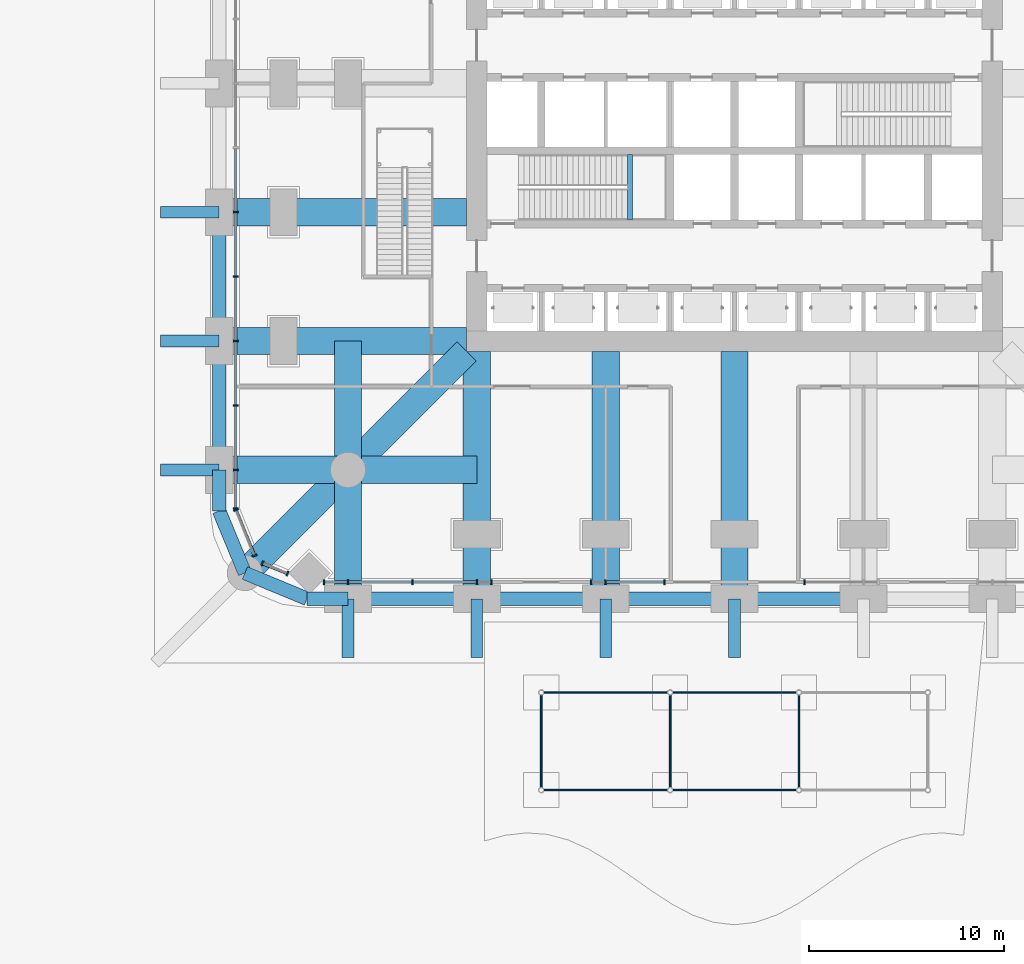
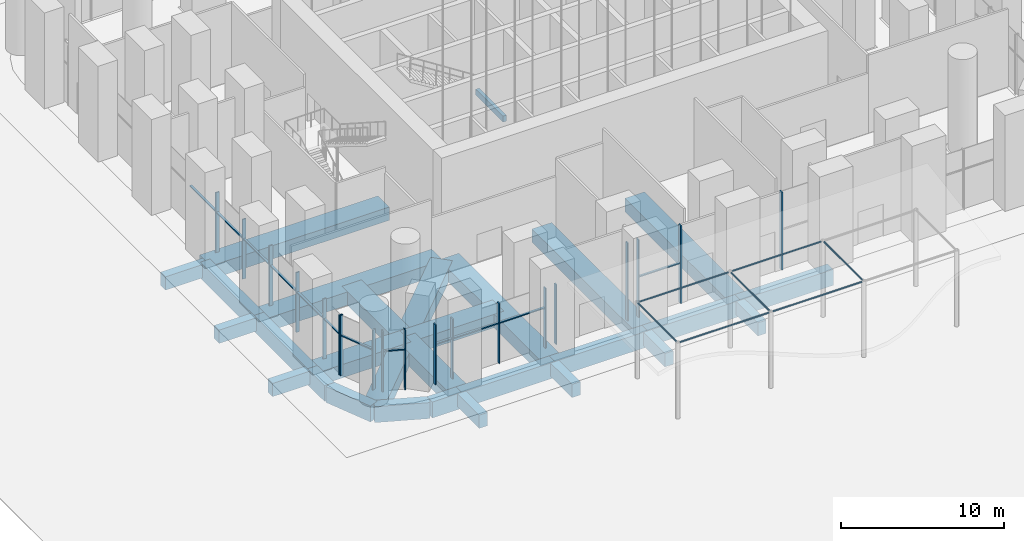
# One storey, part 8 of 32: 38 members, 29 beams, 6 elements without a shape of their own.
"""IFC4 building model written with IfcOpenShell, lengths in metres."""

from ifc_helpers import new_model, si_unit, direction, frame, origin, origin_2d, place, context, subcontext, project, spatial, rectangle, hollow_circle, extrude, material, material_profile, profile_set, type_object, element, aggregate, save


model = new_model("IFC4")

# Units and contexts
model_context = context("Model", 3, precision=1e-05, world=origin(), true_north=direction((0.0, 1.0)))
body_context = subcontext(model_context, "Body", "Model", "MODEL_VIEW")
ifc_project = project(units=[si_unit("LENGTHUNIT", "METRE"), si_unit("AREAUNIT", "SQUARE_METRE"), si_unit("VOLUMEUNIT", "CUBIC_METRE"), si_unit("PLANEANGLEUNIT", "RADIAN"), si_unit("MASSUNIT", "GRAM", prefix="KILO")], contexts=[model_context])

# Site, building, storey
site_placement = place(None, origin())
site = spatial("IfcSite", under=ifc_project, at=site_placement, CompositionType="ELEMENT")
building_placement = place(site_placement, origin())
building = spatial("IfcBuilding", under=site, at=building_placement, Name="Cobogo Forest Laboratory Tower", CompositionType="ELEMENT")
storey_placement = place(building_placement, origin())
storey = spatial("IfcBuildingStorey", under=building, at=storey_placement, Name="L00", CompositionType="ELEMENT", Elevation=0.0)

# Beam
ifc_material_1 = material(Name="Concrete HA-40 (C40/50)", Category="concrete")
ifc_material_profile_1 = material_profile(ifc_material_1, rectangle(XDim=0.25, YDim=0.449951171875, at=origin_2d()), Name="RC 250x450")
ifc_profile_set_1 = profile_set([ifc_material_profile_1], Name="Concrete HA-40 (C40/50)")
beam_type_1 = type_object("IfcBeamType", Name="LB1 landing beam 250x450", PredefinedType="BEAM", material=ifc_profile_set_1)
beam_1_placement = place(storey_placement, frame((21.050048828125, 19.39990234375, 3.175048828125), z_axis=(0.0, 1.0, 0.0), x_axis=(-1.0, 0.0, 0.0)))
element("IfcBeam", 1, at=beam_1_placement, inside=storey, type_object=beam_type_1, Name="Landing beam ST1 L00", PredefinedType="BEAM", context=body_context, shape_type="SweptSolid", body=[
    extrude(rectangle(XDim=0.25, YDim=0.449951171875, at=origin_2d()), origin(), (0.0, 0.0, 1.0), 3.35009765625),
])

# Curtain wall, members
ifc_material_2 = material(Name="Aluminium curtain wall", Category="aluminium")
curtain_wall_type = type_object("IfcCurtainWallType", Name="CW-L structural glazing, entrance lobby", PredefinedType="USERDEFINED", material=ifc_material_2)
curtain_wall_1_placement = place(storey_placement, origin())
curtain_wall_1 = element("IfcCurtainWall", 2, at=curtain_wall_1_placement, inside=storey, type_object=curtain_wall_type, Name="Curtain wall 01 L00", ObjectType="STRUCTURAL GLAZING", PredefinedType="USERDEFINED")
ifc_material_3 = material(Name="Aluminium mullion", Category="aluminium")
ifc_material_profile_2 = material_profile(ifc_material_3, rectangle(XDim=0.080078125, YDim=0.25, at=origin_2d()), Name="AL 80x250")
ifc_profile_set_2 = profile_set([ifc_material_profile_2], Name="Aluminium mullion")
member_type_1 = type_object("IfcMemberType", Name="MU-4 aluminium lobby mullion 80x250", PredefinedType="MULLION", material=ifc_profile_set_2)
member_1_placement = place(storey_placement, frame((3.50048828125, 1.28955078125, 0.0), z_axis=(0.0, 0.0, 1.0), x_axis=(-0.926819589551, 0.37550692194, 0.0)))
member_1 = element("IfcMember", 3, at=member_1_placement, type_object=member_type_1, Name="CW-L mullion 1", PredefinedType="MULLION", context=body_context, shape_type="SweptSolid", body=[
    extrude(rectangle(XDim=0.080078125, YDim=0.25, at=origin_2d()), origin(), (0.0, 0.0, 1.0), 4.5),
])
member_2_placement = place(storey_placement, frame((2.2138671875, 1.810791015625, 0.0), z_axis=(0.0, 0.0, 1.0), x_axis=(-0.926819589551, 0.37550692194, 0.0)))
member_2 = element("IfcMember", 4, at=member_2_placement, type_object=member_type_1, Name="CW-L mullion 2", PredefinedType="MULLION", context=body_context, shape_type="SweptSolid", body=[
    extrude(rectangle(XDim=0.080078125, YDim=0.25, at=origin_2d()), origin(), (0.0, 0.0, 1.0), 4.5),
])

curtain_wall_2_placement = place(storey_placement, origin())
curtain_wall_2 = element("IfcCurtainWall", 5, at=curtain_wall_2_placement, inside=storey, type_object=curtain_wall_type, Name="Curtain wall 02 L00", ObjectType="STRUCTURAL GLAZING", PredefinedType="USERDEFINED")
member_3_placement = place(storey_placement, frame((1.810791015625, 2.2138671875, 0.0), z_axis=(0.0, 0.0, 1.0), x_axis=(-0.375506890138, 0.926819602436, 0.0)))
member_3 = element("IfcMember", 6, at=member_3_placement, type_object=member_type_1, Name="CW-L mullion 1", PredefinedType="MULLION", context=body_context, shape_type="SweptSolid", body=[
    extrude(rectangle(XDim=0.080078125, YDim=0.25, at=origin_2d()), origin(), (0.0, 0.0, 1.0), 4.5),
])
member_4_placement = place(storey_placement, frame((0.864990234375, 4.548095703125, 0.0), z_axis=(0.0, 0.0, 1.0), x_axis=(-0.375506890138, 0.926819602436, 0.0)))
member_4 = element("IfcMember", 7, at=member_4_placement, type_object=member_type_1, Name="CW-L mullion 2", PredefinedType="MULLION", context=body_context, shape_type="SweptSolid", body=[
    extrude(rectangle(XDim=0.080078125, YDim=0.25, at=origin_2d()), origin(), (0.0, 0.0, 1.0), 4.5),
])

curtain_wall_3_placement = place(storey_placement, origin())
curtain_wall_3 = element("IfcCurtainWall", 8, at=curtain_wall_3_placement, inside=storey, type_object=curtain_wall_type, Name="Curtain wall 03 L00", ObjectType="STRUCTURAL GLAZING", PredefinedType="USERDEFINED")
member_5_placement = place(storey_placement, frame((0.85009765625, 4.625244140625, 0.0), z_axis=(0.0, 0.0, 1.0), x_axis=(0.0, 1.0, 0.0)))
member_5 = element("IfcMember", 9, at=member_5_placement, type_object=member_type_1, Name="CW-L mullion 1", PredefinedType="MULLION", context=body_context, shape_type="SweptSolid", body=[
    extrude(rectangle(XDim=0.080078125, YDim=0.25, at=origin_2d()), origin(), (0.0, 0.0, 1.0), 4.5),
])
member_6_placement = place(storey_placement, frame((0.85009765625, 6.60009765625, 0.0), z_axis=(0.0, 0.0, 1.0), x_axis=(0.0, 1.0, 0.0)))
member_6 = element("IfcMember", 10, at=member_6_placement, type_object=member_type_1, Name="CW-L mullion 2", PredefinedType="MULLION", context=body_context, shape_type="SweptSolid", body=[
    extrude(rectangle(XDim=0.080078125, YDim=0.25, at=origin_2d()), origin(), (0.0, 0.0, 1.0), 4.5),
])
member_7_placement = place(storey_placement, frame((0.85009765625, 9.89990234375, 0.0), z_axis=(0.0, 0.0, 1.0), x_axis=(0.0, 1.0, 0.0)))
member_7 = element("IfcMember", 11, at=member_7_placement, type_object=member_type_1, Name="CW-L mullion 3", PredefinedType="MULLION", context=body_context, shape_type="SweptSolid", body=[
    extrude(rectangle(XDim=0.080078125, YDim=0.25, at=origin_2d()), origin(), (0.0, 0.0, 1.0), 4.5),
])
member_8_placement = place(storey_placement, frame((0.85009765625, 13.199951171875, 0.0), z_axis=(0.0, 0.0, 1.0), x_axis=(0.0, 1.0, 0.0)))
member_8 = element("IfcMember", 12, at=member_8_placement, type_object=member_type_1, Name="CW-L mullion 4", PredefinedType="MULLION", context=body_context, shape_type="SweptSolid", body=[
    extrude(rectangle(XDim=0.080078125, YDim=0.25, at=origin_2d()), origin(), (0.0, 0.0, 1.0), 4.5),
])
member_9_placement = place(storey_placement, frame((0.85009765625, 16.5, 0.0), z_axis=(0.0, 0.0, 1.0), x_axis=(0.0, 1.0, 0.0)))
member_9 = element("IfcMember", 13, at=member_9_placement, type_object=member_type_1, Name="CW-L mullion 5", PredefinedType="MULLION", context=body_context, shape_type="SweptSolid", body=[
    extrude(rectangle(XDim=0.080078125, YDim=0.25, at=origin_2d()), origin(), (0.0, 0.0, 1.0), 4.5),
])
member_10_placement = place(storey_placement, frame((0.85009765625, 19.800048828125, 0.0), z_axis=(0.0, 0.0, 1.0), x_axis=(0.0, 1.0, 0.0)))
member_10 = element("IfcMember", 14, at=member_10_placement, type_object=member_type_1, Name="CW-L mullion 6", PredefinedType="MULLION", context=body_context, shape_type="SweptSolid", body=[
    extrude(rectangle(XDim=0.080078125, YDim=0.25, at=origin_2d()), origin(), (0.0, 0.0, 1.0), 4.5),
])

# Curtain wall, member
curtain_wall_4_placement = place(storey_placement, origin())
curtain_wall_4 = element("IfcCurtainWall", 15, at=curtain_wall_4_placement, inside=storey, type_object=curtain_wall_type, Name="Curtain wall 16 L00", ObjectType="STRUCTURAL GLAZING", PredefinedType="USERDEFINED")
member_11_placement = place(storey_placement, frame((29.989990234375, 0.85009765625, 0.0), z_axis=(0.0, 0.0, 1.0), x_axis=(-1.0, 0.0, 0.0)))
member_11 = element("IfcMember", 16, at=member_11_placement, type_object=member_type_1, Name="CW-L mullion 3", PredefinedType="MULLION", context=body_context, shape_type="SweptSolid", body=[
    extrude(rectangle(XDim=0.080078125, YDim=0.25, at=origin_2d()), origin(), (0.0, 0.0, 1.0), 5.85009765625),
])
aggregate(curtain_wall_4, [member_11])

# Curtain wall, members
curtain_wall_5_placement = place(storey_placement, origin())
curtain_wall_5 = element("IfcCurtainWall", 17, at=curtain_wall_5_placement, inside=storey, type_object=curtain_wall_type, Name="Curtain wall 17 L00", ObjectType="STRUCTURAL GLAZING", PredefinedType="USERDEFINED")
member_12_placement = place(storey_placement, frame((22.81005859375, 0.85009765625, 0.0), z_axis=(0.0, 0.0, 1.0), x_axis=(-1.0, 0.0, 0.0)))
member_12 = element("IfcMember", 18, at=member_12_placement, type_object=member_type_1, Name="CW-L mullion 1", PredefinedType="MULLION", context=body_context, shape_type="SweptSolid", body=[
    extrude(rectangle(XDim=0.080078125, YDim=0.25, at=origin_2d()), origin(), (0.0, 0.0, 1.0), 5.85009765625),
])
member_13_placement = place(storey_placement, frame((19.800048828125, 0.85009765625, 0.0), z_axis=(0.0, 0.0, 1.0), x_axis=(-1.0, 0.0, 0.0)))
member_13 = element("IfcMember", 19, at=member_13_placement, type_object=member_type_1, Name="CW-L mullion 2", PredefinedType="MULLION", context=body_context, shape_type="SweptSolid", body=[
    extrude(rectangle(XDim=0.080078125, YDim=0.25, at=origin_2d()), origin(), (0.0, 0.0, 1.0), 5.85009765625),
])
member_14_placement = place(storey_placement, frame((19.0400390625, 0.85009765625, 0.0), z_axis=(0.0, 0.0, 1.0), x_axis=(-1.0, 0.0, 0.0)))
member_14 = element("IfcMember", 20, at=member_14_placement, type_object=member_type_1, Name="CW-L mullion 3", PredefinedType="MULLION", context=body_context, shape_type="SweptSolid", body=[
    extrude(rectangle(XDim=0.080078125, YDim=0.25, at=origin_2d()), origin(), (0.0, 0.0, 1.0), 5.85009765625),
])

curtain_wall_6_placement = place(storey_placement, origin())
curtain_wall_6 = element("IfcCurtainWall", 21, at=curtain_wall_6_placement, inside=storey, type_object=curtain_wall_type, Name="Curtain wall 18 L00", ObjectType="STRUCTURAL GLAZING", PredefinedType="USERDEFINED")
member_15_placement = place(storey_placement, frame((13.9599609375, 0.85009765625, 0.0), z_axis=(0.0, 0.0, 1.0), x_axis=(-1.0, 0.0, 0.0)))
member_15 = element("IfcMember", 22, at=member_15_placement, type_object=member_type_1, Name="CW-L mullion 1", PredefinedType="MULLION", context=body_context, shape_type="SweptSolid", body=[
    extrude(rectangle(XDim=0.080078125, YDim=0.25, at=origin_2d()), origin(), (0.0, 0.0, 1.0), 4.5),
])
member_16_placement = place(storey_placement, frame((13.199951171875, 0.85009765625, 0.0), z_axis=(0.0, 0.0, 1.0), x_axis=(-1.0, 0.0, 0.0)))
member_16 = element("IfcMember", 23, at=member_16_placement, type_object=member_type_1, Name="CW-L mullion 2", PredefinedType="MULLION", context=body_context, shape_type="SweptSolid", body=[
    extrude(rectangle(XDim=0.080078125, YDim=0.25, at=origin_2d()), origin(), (0.0, 0.0, 1.0), 4.5),
])
member_17_placement = place(storey_placement, frame((9.89990234375, 0.85009765625, 0.0), z_axis=(0.0, 0.0, 1.0), x_axis=(-1.0, 0.0, 0.0)))
member_17 = element("IfcMember", 24, at=member_17_placement, type_object=member_type_1, Name="CW-L mullion 3", PredefinedType="MULLION", context=body_context, shape_type="SweptSolid", body=[
    extrude(rectangle(XDim=0.080078125, YDim=0.25, at=origin_2d()), origin(), (0.0, 0.0, 1.0), 4.5),
])
member_18_placement = place(storey_placement, frame((6.60009765625, 0.85009765625, 0.0), z_axis=(0.0, 0.0, 1.0), x_axis=(-1.0, 0.0, 0.0)))
member_18 = element("IfcMember", 25, at=member_18_placement, type_object=member_type_1, Name="CW-L mullion 4", PredefinedType="MULLION", context=body_context, shape_type="SweptSolid", body=[
    extrude(rectangle(XDim=0.080078125, YDim=0.25, at=origin_2d()), origin(), (0.0, 0.0, 1.0), 4.5),
])
member_19_placement = place(storey_placement, frame((5.375732421875, 0.85009765625, 0.0), z_axis=(0.0, 0.0, 1.0), x_axis=(-1.0, 0.0, 0.0)))
member_19 = element("IfcMember", 26, at=member_19_placement, type_object=member_type_1, Name="CW-L mullion 5", PredefinedType="MULLION", context=body_context, shape_type="SweptSolid", body=[
    extrude(rectangle(XDim=0.080078125, YDim=0.25, at=origin_2d()), origin(), (0.0, 0.0, 1.0), 4.5),
])

# Members
ifc_material_4 = material(Name="Steel S355", Category="steel")
ifc_material_profile_3 = material_profile(ifc_material_4, hollow_circle(Radius=0.05712890625, WallThickness=0.00634765625, at=origin_2d()), Name="CHS 114.3x6.3")
ifc_profile_set_3 = profile_set([ifc_material_profile_3], Name="Steel S355")
member_type_2 = type_object("IfcMemberType", Name="Marquise head strut CHS 114.3x6.3", PredefinedType="STRUT", material=ifc_profile_set_3)
member_20_placement = place(storey_placement, frame((16.631591796875, -9.800048828125, 5.642822265625), z_axis=(1.0, 0.0, 0.0), x_axis=(0.0, 1.0, 0.0)))
element("IfcMember", 27, at=member_20_placement, inside=storey, type_object=member_type_2, Name="MT1 marquise strut 1", PredefinedType="STRUT", context=body_context, shape_type="SweptSolid", body=[
    extrude(hollow_circle(Radius=0.05712890625, WallThickness=0.00634765625, at=origin_2d()), origin(), (0.0, 0.0, 1.0), 6.3369140625),
])
member_21_placement = place(storey_placement, frame((23.2314453125, -9.800048828125, 5.642822265625), z_axis=(1.0, 0.0, 0.0), x_axis=(0.0, 1.0, 0.0)))
element("IfcMember", 28, at=member_21_placement, inside=storey, type_object=member_type_2, Name="MT1 marquise strut 2", PredefinedType="STRUT", context=body_context, shape_type="SweptSolid", body=[
    extrude(hollow_circle(Radius=0.05712890625, WallThickness=0.00634765625, at=origin_2d()), origin(), (0.0, 0.0, 1.0), 6.337158203125),
])
member_22_placement = place(storey_placement, frame((16.631591796875, -4.800048828125, 5.642822265625), z_axis=(1.0, 0.0, 0.0), x_axis=(0.0, 1.0, 0.0)))
element("IfcMember", 29, at=member_22_placement, inside=storey, type_object=member_type_2, Name="MT1 marquise strut 4", PredefinedType="STRUT", context=body_context, shape_type="SweptSolid", body=[
    extrude(hollow_circle(Radius=0.05712890625, WallThickness=0.00634765625, at=origin_2d()), origin(), (0.0, 0.0, 1.0), 6.3369140625),
])
member_23_placement = place(storey_placement, frame((23.2314453125, -4.800048828125, 5.642822265625), z_axis=(1.0, 0.0, 0.0), x_axis=(0.0, 1.0, 0.0)))
element("IfcMember", 30, at=member_23_placement, inside=storey, type_object=member_type_2, Name="MT1 marquise strut 5", PredefinedType="STRUT", context=body_context, shape_type="SweptSolid", body=[
    extrude(hollow_circle(Radius=0.05712890625, WallThickness=0.00634765625, at=origin_2d()), origin(), (0.0, 0.0, 1.0), 6.337158203125),
])
for number, where, z_axis, x_axis, name in (
    (31, (16.5, -9.66845703125, 5.642822265625), (0.0, 1.0, 0.0), (-1.0, 0.0, 0.0), "MT1 marquise strut 7"),
    (32, (23.10009765625, -9.66845703125, 5.642822265625), (0.0, 1.0, 0.0), (-1.0, 0.0, 0.0), "MT1 marquise strut 8"),
    (33, (29.699951171875, -9.66845703125, 5.642822265625), (0.0, 1.0, 0.0), (-1.0, 0.0, 0.0), "MT1 marquise strut 9"),
):
    element("IfcMember", number, at=place(storey_placement, frame(where, z_axis=z_axis, x_axis=x_axis)), inside=storey, type_object=member_type_2, Name=name, PredefinedType="STRUT", context=body_context, shape_type="SweptSolid", body=[
        extrude(hollow_circle(Radius=0.05712890625, WallThickness=0.00634765625, at=origin_2d()), origin(), (0.0, 0.0, 1.0), 4.737060546875),
    ])

# Beams
ifc_material_profile_4 = material_profile(ifc_material_1, rectangle(XDim=0.699951171875, YDim=1.199951171875, at=origin_2d()), Name="RC 700x1200")
ifc_profile_set_4 = profile_set([ifc_material_profile_4], Name="Concrete HA-40 (C40/50)")
beam_type_2 = type_object("IfcBeamType", Name="Perimeter edge beam 700x1200", PredefinedType="BEAM", material=ifc_profile_set_4)
beam_2_placement = place(storey_placement, frame((6.60009765625, 0.0, -0.949951171875), z_axis=(1.0, 0.0, 0.0), x_axis=(0.0, 1.0, 0.0)))
element("IfcBeam", 34, at=beam_2_placement, inside=storey, type_object=beam_type_2, Name="EB1 E-S1 L00", PredefinedType="BEAM", context=body_context, shape_type="SweptSolid", body=[
    extrude(rectangle(XDim=0.699951171875, YDim=1.199951171875, at=origin_2d()), origin(), (0.0, 0.0, 1.0), 6.599853515625),
])
beam_3_placement = place(storey_placement, frame((13.199951171875, 0.0, -0.949951171875), z_axis=(1.0, 0.0, 0.0), x_axis=(0.0, 1.0, 0.0)))
element("IfcBeam", 35, at=beam_3_placement, inside=storey, type_object=beam_type_2, Name="EB1 E-S2 L00", PredefinedType="BEAM", context=body_context, shape_type="SweptSolid", body=[
    extrude(rectangle(XDim=0.699951171875, YDim=1.199951171875, at=origin_2d()), origin(), (0.0, 0.0, 1.0), 6.60009765625),
])
beam_4_placement = place(storey_placement, frame((19.800048828125, 0.0, -0.949951171875), z_axis=(1.0, 0.0, 0.0), x_axis=(0.0, 1.0, 0.0)))
element("IfcBeam", 36, at=beam_4_placement, inside=storey, type_object=beam_type_2, Name="EB1 E-S3 L00", PredefinedType="BEAM", context=body_context, shape_type="SweptSolid", body=[
    extrude(rectangle(XDim=0.699951171875, YDim=1.199951171875, at=origin_2d()), origin(), (0.0, 0.0, 1.0), 6.599853515625),
])
beam_5_placement = place(storey_placement, frame((26.39990234375, 0.0, -0.949951171875), z_axis=(1.0, 0.0, 0.0), x_axis=(0.0, 1.0, 0.0)))
element("IfcBeam", 37, at=beam_5_placement, inside=storey, type_object=beam_type_2, Name="EB1 E-S4 L00", PredefinedType="BEAM", context=body_context, shape_type="SweptSolid", body=[
    extrude(rectangle(XDim=0.699951171875, YDim=1.199951171875, at=origin_2d()), origin(), (0.0, 0.0, 1.0), 6.60009765625),
])
beam_6_placement = place(storey_placement, frame((0.0, 6.60009765625, -0.949951171875), z_axis=(0.0, 1.0, 0.0), x_axis=(-1.0, 0.0, 0.0)))
element("IfcBeam", 38, at=beam_6_placement, inside=storey, type_object=beam_type_2, Name="EB1 E-W1 L00", PredefinedType="BEAM", context=body_context, shape_type="SweptSolid", body=[
    extrude(rectangle(XDim=0.699951171875, YDim=1.199951171875, at=origin_2d()), origin(), (0.0, 0.0, 1.0), 6.599853515625),
])
beam_7_placement = place(storey_placement, frame((0.0, 13.199951171875, -0.949951171875), z_axis=(0.0, 1.0, 0.0), x_axis=(-1.0, 0.0, 0.0)))
element("IfcBeam", 39, at=beam_7_placement, inside=storey, type_object=beam_type_2, Name="EB1 E-W2 L00", PredefinedType="BEAM", context=body_context, shape_type="SweptSolid", body=[
    extrude(rectangle(XDim=0.699951171875, YDim=1.199951171875, at=origin_2d()), origin(), (0.0, 0.0, 1.0), 6.60009765625),
])
beam_8_placement = place(storey_placement, frame((6.60009765625, 0.0, -0.949951171875), z_axis=(-1.0, 0.0, 0.0), x_axis=(0.0, -1.0, 0.0)))
element("IfcBeam", 40, at=beam_8_placement, inside=storey, type_object=beam_type_2, Name="EB1 E-SWS1 L00", PredefinedType="BEAM", context=body_context, shape_type="SweptSolid", body=[
    extrude(rectangle(XDim=0.699951171875, YDim=1.199951171875, at=origin_2d()), origin(), (0.0, 0.0, 1.0), 2.10009765625),
])
beam_9_placement = place(storey_placement, frame((4.5, 0.0, -0.949951171875), z_axis=(-0.923865631356, 0.382716990999, 0.0), x_axis=(-0.382716990999, -0.923865631356, 0.0)))
element("IfcBeam", 41, at=beam_9_placement, inside=storey, type_object=beam_type_2, Name="EB1 E-SWS2 L00", PredefinedType="BEAM", context=body_context, shape_type="SweptSolid", body=[
    extrude(rectangle(XDim=0.699951171875, YDim=1.199951171875, at=origin_2d()), origin(), (0.0, 0.0, 1.0), 3.444091796875),
])
beam_10_placement = place(storey_placement, frame((0.0, 6.60009765625, -0.949951171875), z_axis=(0.0, -1.0, 0.0), x_axis=(1.0, 0.0, 0.0)))
element("IfcBeam", 42, at=beam_10_placement, inside=storey, type_object=beam_type_2, Name="EB1 E-SWW1 L00", PredefinedType="BEAM", context=body_context, shape_type="SweptSolid", body=[
    extrude(rectangle(XDim=0.699951171875, YDim=1.199951171875, at=origin_2d()), origin(), (0.0, 0.0, 1.0), 2.10009765625),
])
beam_11_placement = place(storey_placement, frame((0.0, 4.5, -0.949951171875), z_axis=(0.382716990999, -0.923865631356, 0.0), x_axis=(0.923865631356, 0.382716990999, 0.0)))
element("IfcBeam", 43, at=beam_11_placement, inside=storey, type_object=beam_type_2, Name="EB1 E-SWW2 L00", PredefinedType="BEAM", context=body_context, shape_type="SweptSolid", body=[
    extrude(rectangle(XDim=0.699951171875, YDim=1.199951171875, at=origin_2d()), origin(), (0.0, 0.0, 1.0), 3.444091796875),
])
ifc_material_profile_5 = material_profile(ifc_material_1, rectangle(XDim=0.60009765625, YDim=1.0, at=origin_2d()), Name="RC 600x1000")
ifc_profile_set_5 = profile_set([ifc_material_profile_5], Name="Concrete HA-40 (C40/50)")
beam_type_3 = type_object("IfcBeamType", Name="Plaza deck beam 600x1000", PredefinedType="BEAM", material=ifc_profile_set_5)
for number, where, z_axis, x_axis, name in (
    (44, (6.60009765625, 0.0, -0.85009765625), (0.0, -1.0, 0.0), (1.0, 0.0, 0.0), "RB3 P-2-A L00"),
    (45, (13.199951171875, 0.0, -0.85009765625), (0.0, -1.0, 0.0), (1.0, 0.0, 0.0), "RB3 P-3-A L00"),
    (46, (19.800048828125, 0.0, -0.85009765625), (0.0, -1.0, 0.0), (1.0, 0.0, 0.0), "RB3 P-4-A L00"),
    (47, (26.39990234375, 0.0, -0.85009765625), (0.0, -1.0, 0.0), (1.0, 0.0, 0.0), "RB3 P-5-A L00"),
    (48, (0.0, 6.60009765625, -0.85009765625), (-1.0, 0.0, 0.0), (0.0, -1.0, 0.0), "RB3 P-1-B L00"),
    (49, (0.0, 13.199951171875, -0.85009765625), (-1.0, 0.0, 0.0), (0.0, -1.0, 0.0), "RB3 P-1-C L00"),
    (50, (0.0, 19.800048828125, -0.85009765625), (-1.0, 0.0, 0.0), (0.0, -1.0, 0.0), "RB3 P-1-D L00"),
):
    element("IfcBeam", number, at=place(storey_placement, frame(where, z_axis=z_axis, x_axis=x_axis)), inside=storey, type_object=beam_type_3, Name=name, PredefinedType="BEAM", context=body_context, shape_type="SweptSolid", body=[
        extrude(rectangle(XDim=0.60009765625, YDim=1.0, at=origin_2d()), origin(), (0.0, 0.0, 1.0), 3.0),
    ])
ifc_material_profile_6 = material_profile(ifc_material_1, rectangle(XDim=1.39990234375, YDim=1.0, at=origin_2d()), Name="RC 1400x1000")
ifc_profile_set_6 = profile_set([ifc_material_profile_6], Name="Concrete HA-40 (C40/50)")
beam_type_4 = type_object("IfcBeamType", Name="Podium deck wide beam 1400x1000", PredefinedType="BEAM", material=ifc_profile_set_6)
for number, where, z_axis, x_axis, name in (
    (51, (13.199951171875, 12.675048828125, -0.85009765625), (0.0, -1.0, 0.0), (1.0, 0.0, 0.0), "RB5 R-3-S L00"),
    (52, (19.800048828125, 12.675048828125, -0.85009765625), (0.0, -1.0, 0.0), (1.0, 0.0, 0.0), "RB5 R-4-S L00"),
    (53, (26.39990234375, 12.675048828125, -0.85009765625), (0.0, -1.0, 0.0), (1.0, 0.0, 0.0), "RB5 R-5-S L00"),
    (54, (12.675048828125, 13.199951171875, -0.85009765625), (-1.0, 0.0, 0.0), (0.0, -1.0, 0.0), "RB5 R-C-W L00"),
    (55, (12.675048828125, 19.800048828125, -0.85009765625), (-1.0, 0.0, 0.0), (0.0, -1.0, 0.0), "RB5 R-D-W L00"),
):
    element("IfcBeam", number, at=place(storey_placement, frame(where, z_axis=z_axis, x_axis=x_axis)), inside=storey, type_object=beam_type_4, Name=name, PredefinedType="BEAM", context=body_context, shape_type="SweptSolid", body=[
        extrude(rectangle(XDim=1.39990234375, YDim=1.0, at=origin_2d()), origin(), (0.0, 0.0, 1.0), 12.675048828125),
    ])
beam_12_placement = place(storey_placement, frame((6.60009765625, 0.0, -0.85009765625), z_axis=(0.0, 1.0, 0.0), x_axis=(-1.0, 0.0, 0.0)))
element("IfcBeam", 56, at=beam_12_placement, inside=storey, type_object=beam_type_4, Name="RB5 G-SW-XF L00", PredefinedType="BEAM", context=body_context, shape_type="SweptSolid", body=[
    extrude(rectangle(XDim=1.39990234375, YDim=1.0, at=origin_2d()), origin(), (0.0, 0.0, 1.0), 6.60009765625),
])
beam_13_placement = place(storey_placement, frame((6.60009765625, 6.60009765625, -0.85009765625), z_axis=(0.0, 1.0, 0.0), x_axis=(-1.0, 0.0, 0.0)))
element("IfcBeam", 57, at=beam_13_placement, inside=storey, type_object=beam_type_4, Name="RB5 G-SW-XC L00", PredefinedType="BEAM", context=body_context, shape_type="SweptSolid", body=[
    extrude(rectangle(XDim=1.39990234375, YDim=1.0, at=origin_2d()), origin(), (0.0, 0.0, 1.0), 6.599853515625),
])
beam_14_placement = place(storey_placement, frame((0.0, 6.60009765625, -0.85009765625), z_axis=(1.0, 0.0, 0.0), x_axis=(0.0, 1.0, 0.0)))
element("IfcBeam", 58, at=beam_14_placement, inside=storey, type_object=beam_type_4, Name="RB5 G-SW-YF L00", PredefinedType="BEAM", context=body_context, shape_type="SweptSolid", body=[
    extrude(rectangle(XDim=1.39990234375, YDim=1.0, at=origin_2d()), origin(), (0.0, 0.0, 1.0), 6.60009765625),
])
beam_15_placement = place(storey_placement, frame((6.60009765625, 6.60009765625, -0.85009765625), z_axis=(1.0, 0.0, 0.0), x_axis=(0.0, 1.0, 0.0)))
element("IfcBeam", 59, at=beam_15_placement, inside=storey, type_object=beam_type_4, Name="RB5 G-SW-YC L00", PredefinedType="BEAM", context=body_context, shape_type="SweptSolid", body=[
    extrude(rectangle(XDim=1.39990234375, YDim=1.0, at=origin_2d()), origin(), (0.0, 0.0, 1.0), 6.599853515625),
])
beam_16_placement = place(storey_placement, frame((1.318115234375, 1.318115234375, -0.85009765625), z_axis=(0.707106781187, 0.707106781187, 0.0), x_axis=(-0.707106781187, 0.707106781187, 0.0)))
element("IfcBeam", 60, at=beam_16_placement, inside=storey, type_object=beam_type_4, Name="RB5 G-SW-D1 L00", PredefinedType="BEAM", context=body_context, shape_type="SweptSolid", body=[
    extrude(rectangle(XDim=1.39990234375, YDim=1.0, at=origin_2d()), origin(), (0.0, 0.0, 1.0), 7.469970703125),
])
beam_17_placement = place(storey_placement, frame((6.60009765625, 6.60009765625, -0.85009765625), z_axis=(0.707106781187, 0.707106781187, 0.0), x_axis=(-0.707106781187, 0.707106781187, 0.0)))
element("IfcBeam", 61, at=beam_17_placement, inside=storey, type_object=beam_type_4, Name="RB5 G-SW-D2 L00", PredefinedType="BEAM", context=body_context, shape_type="SweptSolid", body=[
    extrude(rectangle(XDim=1.39990234375, YDim=1.0, at=origin_2d()), origin(), (0.0, 0.0, 1.0), 8.59130859375),
])

# Member
ifc_material_5 = material(Name="Aluminium transom", Category="aluminium")
ifc_material_profile_7 = material_profile(ifc_material_5, rectangle(XDim=0.14990234375, YDim=0.080078125, at=origin_2d()), Name="AL 80x150")
ifc_profile_set_7 = profile_set([ifc_material_profile_7], Name="Aluminium transom")
member_type_3 = type_object("IfcMemberType", Name="TR-3 aluminium lobby transom 80x150", PredefinedType="USERDEFINED", material=ifc_profile_set_7)
member_24_placement = place(storey_placement, frame((3.46337890625, 1.304443359375, 3.0), z_axis=(-0.926820035284, 0.375505821787, 0.0), x_axis=(-0.375505821787, -0.926820035284, 0.0)))
member_24 = element("IfcMember", 62, at=member_24_placement, type_object=member_type_3, Name="CW-L transom 1.1", ObjectType="TRANSOM", PredefinedType="USERDEFINED", context=body_context, shape_type="SweptSolid", body=[
    extrude(rectangle(XDim=0.14990234375, YDim=0.080078125, at=origin_2d()), origin(), (0.0, 0.0, 1.0), 1.30810546875),
])

aggregate(curtain_wall_1, [member_1, member_2, member_24])

member_25_placement = place(storey_placement, frame((1.795654296875, 2.2509765625, 3.0), z_axis=(-0.375461069574, 0.926838165612, 0.0), x_axis=(-0.926838165612, -0.375461069574, 0.0)))
member_25 = element("IfcMember", 63, at=member_25_placement, type_object=member_type_3, Name="CW-L transom 1.1", ObjectType="TRANSOM", PredefinedType="USERDEFINED", context=body_context, shape_type="SweptSolid", body=[
    extrude(rectangle(XDim=0.14990234375, YDim=0.080078125, at=origin_2d()), origin(), (0.0, 0.0, 1.0), 2.4384765625),
])

aggregate(curtain_wall_2, [member_3, member_4, member_25])

member_26_placement = place(storey_placement, frame((0.85009765625, 4.665283203125, 3.0), z_axis=(0.0, 1.0, 0.0), x_axis=(-1.0, 0.0, 0.0)))
member_26 = element("IfcMember", 64, at=member_26_placement, type_object=member_type_3, Name="CW-L transom 1.1", ObjectType="TRANSOM", PredefinedType="USERDEFINED", context=body_context, shape_type="SweptSolid", body=[
    extrude(rectangle(XDim=0.14990234375, YDim=0.080078125, at=origin_2d()), origin(), (0.0, 0.0, 1.0), 1.894775390625),
])

member_27_placement = place(storey_placement, frame((0.85009765625, 6.639892578125, 3.0), z_axis=(0.0, 1.0, 0.0), x_axis=(-1.0, 0.0, 0.0)))
member_27 = element("IfcMember", 65, at=member_27_placement, type_object=member_type_3, Name="CW-L transom 2.1", ObjectType="TRANSOM", PredefinedType="USERDEFINED", context=body_context, shape_type="SweptSolid", body=[
    extrude(rectangle(XDim=0.14990234375, YDim=0.080078125, at=origin_2d()), origin(), (0.0, 0.0, 1.0), 3.22021484375),
])

member_28_placement = place(storey_placement, frame((0.85009765625, 9.93994140625, 3.0), z_axis=(0.0, 1.0, 0.0), x_axis=(-1.0, 0.0, 0.0)))
member_28 = element("IfcMember", 66, at=member_28_placement, type_object=member_type_3, Name="CW-L transom 3.1", ObjectType="TRANSOM", PredefinedType="USERDEFINED", context=body_context, shape_type="SweptSolid", body=[
    extrude(rectangle(XDim=0.14990234375, YDim=0.080078125, at=origin_2d()), origin(), (0.0, 0.0, 1.0), 3.219970703125),
])

member_29_placement = place(storey_placement, frame((0.85009765625, 13.239990234375, 3.0), z_axis=(0.0, 1.0, 0.0), x_axis=(-1.0, 0.0, 0.0)))
member_29 = element("IfcMember", 67, at=member_29_placement, type_object=member_type_3, Name="CW-L transom 4.1", ObjectType="TRANSOM", PredefinedType="USERDEFINED", context=body_context, shape_type="SweptSolid", body=[
    extrude(rectangle(XDim=0.14990234375, YDim=0.080078125, at=origin_2d()), origin(), (0.0, 0.0, 1.0), 3.219970703125),
])

member_30_placement = place(storey_placement, frame((0.85009765625, 16.5400390625, 3.0), z_axis=(0.0, 1.0, 0.0), x_axis=(-1.0, 0.0, 0.0)))
member_30 = element("IfcMember", 68, at=member_30_placement, type_object=member_type_3, Name="CW-L transom 5.1", ObjectType="TRANSOM", PredefinedType="USERDEFINED", context=body_context, shape_type="SweptSolid", body=[
    extrude(rectangle(XDim=0.14990234375, YDim=0.080078125, at=origin_2d()), origin(), (0.0, 0.0, 1.0), 3.219970703125),
])

member_31_placement = place(storey_placement, frame((0.85009765625, 19.840087890625, 3.0), z_axis=(0.0, 1.0, 0.0), x_axis=(-1.0, 0.0, 0.0)))
member_31 = element("IfcMember", 69, at=member_31_placement, type_object=member_type_3, Name="CW-L transom 6.1", ObjectType="TRANSOM", PredefinedType="USERDEFINED", context=body_context, shape_type="SweptSolid", body=[
    extrude(rectangle(XDim=0.14990234375, YDim=0.080078125, at=origin_2d()), origin(), (0.0, 0.0, 1.0), 3.219970703125),
])

aggregate(curtain_wall_3, [member_5, member_6, member_7, member_8, member_9, member_10, member_26, member_27, member_28, member_29, member_30, member_31])

member_32_placement = place(storey_placement, frame((22.77001953125, 0.85009765625, 3.0), z_axis=(-1.0, 0.0, 0.0), x_axis=(0.0, -1.0, 0.0)))
member_32 = element("IfcMember", 70, at=member_32_placement, type_object=member_type_3, Name="CW-L transom 1.1", ObjectType="TRANSOM", PredefinedType="USERDEFINED", context=body_context, shape_type="SweptSolid", body=[
    extrude(rectangle(XDim=0.14990234375, YDim=0.080078125, at=origin_2d()), origin(), (0.0, 0.0, 1.0), 2.929931640625),
])

aggregate(curtain_wall_5, [member_12, member_13, member_14, member_32])

member_33_placement = place(storey_placement, frame((13.159912109375, 0.85009765625, 3.0), z_axis=(-1.0, 0.0, 0.0), x_axis=(0.0, -1.0, 0.0)))
member_33 = element("IfcMember", 71, at=member_33_placement, type_object=member_type_3, Name="CW-L transom 2.1", ObjectType="TRANSOM", PredefinedType="USERDEFINED", context=body_context, shape_type="SweptSolid", body=[
    extrude(rectangle(XDim=0.14990234375, YDim=0.080078125, at=origin_2d()), origin(), (0.0, 0.0, 1.0), 3.219970703125),
])

member_34_placement = place(storey_placement, frame((9.860107421875, 0.85009765625, 3.0), z_axis=(-1.0, 0.0, 0.0), x_axis=(0.0, -1.0, 0.0)))
member_34 = element("IfcMember", 72, at=member_34_placement, type_object=member_type_3, Name="CW-L transom 3.1", ObjectType="TRANSOM", PredefinedType="USERDEFINED", context=body_context, shape_type="SweptSolid", body=[
    extrude(rectangle(XDim=0.14990234375, YDim=0.080078125, at=origin_2d()), origin(), (0.0, 0.0, 1.0), 3.22021484375),
])

member_35_placement = place(storey_placement, frame((6.56005859375, 0.85009765625, 3.0), z_axis=(-1.0, 0.0, 0.0), x_axis=(0.0, -1.0, 0.0)))
member_35 = element("IfcMember", 73, at=member_35_placement, type_object=member_type_3, Name="CW-L transom 4.1", ObjectType="TRANSOM", PredefinedType="USERDEFINED", context=body_context, shape_type="SweptSolid", body=[
    extrude(rectangle(XDim=0.14990234375, YDim=0.080078125, at=origin_2d()), origin(), (0.0, 0.0, 1.0), 1.144287109375),
])

aggregate(curtain_wall_6, [member_15, member_16, member_17, member_18, member_19, member_33, member_34, member_35])

save(model, "model.ifc")
